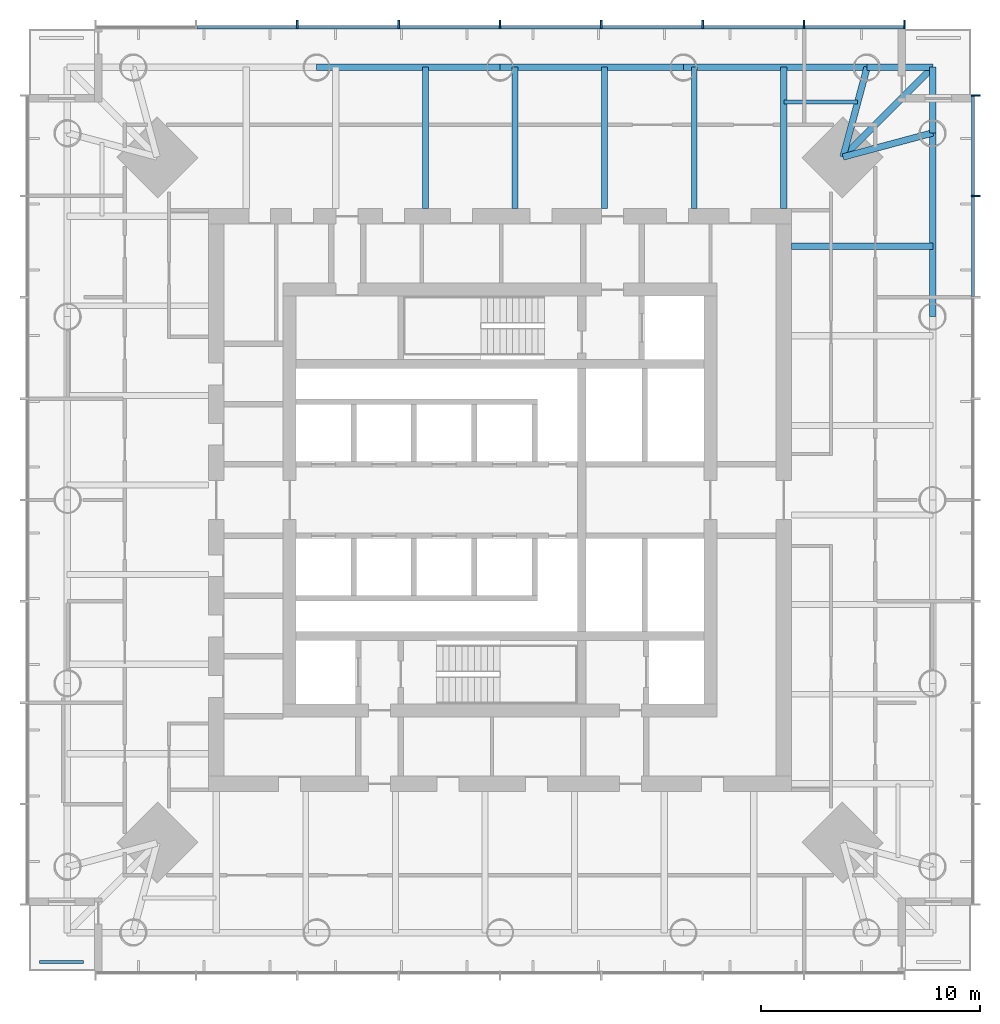
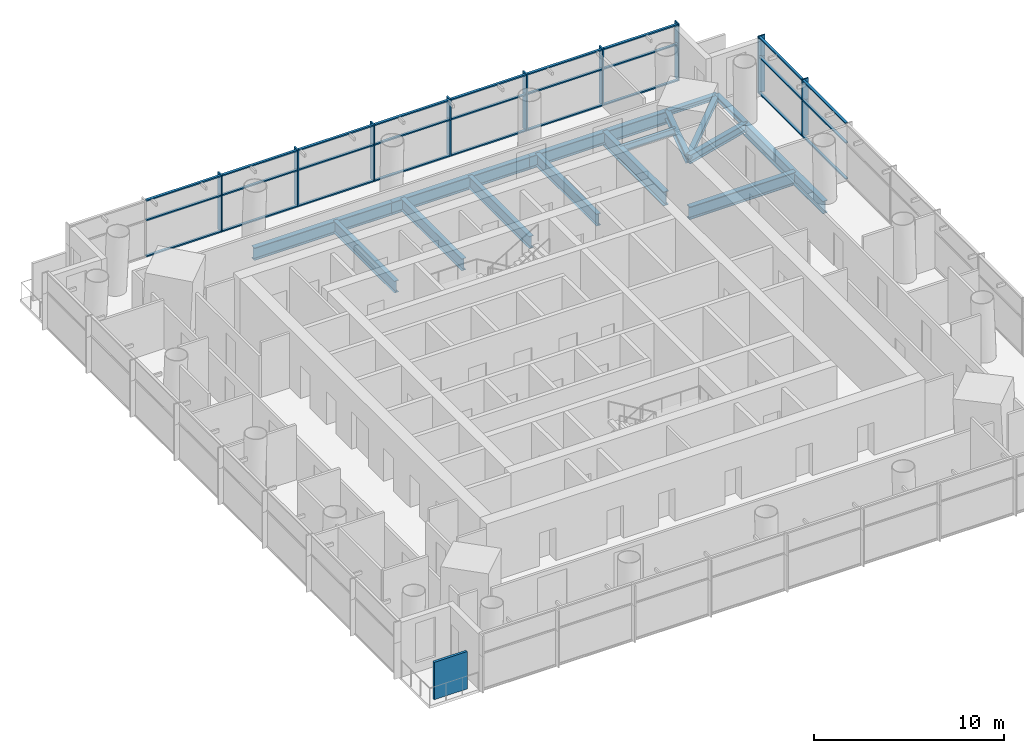
# One storey, part 4 of 11: 45 members, 16 beams, 1 plate, 4 elements without a shape of their own.
"""IFC4 building model written with IfcOpenShell, lengths in metres."""

from ifc_helpers import new_model, si_unit, direction, frame, origin, origin_2d, place, context, subcontext, project, spatial, rectangle, i_section, extrude, material, layer, layer_set, material_profile, profile_set, type_object, element, aggregate, save


model = new_model("IFC4")

# Units and contexts
model_context = context("Model", 3, precision=1e-05, world=origin(), true_north=direction((0.0, 1.0)))
body_context = subcontext(model_context, "Body", "Model", "MODEL_VIEW")
ifc_project = project(units=[si_unit("LENGTHUNIT", "METRE"), si_unit("AREAUNIT", "SQUARE_METRE"), si_unit("VOLUMEUNIT", "CUBIC_METRE"), si_unit("PLANEANGLEUNIT", "RADIAN"), si_unit("MASSUNIT", "GRAM", prefix="KILO")], contexts=[model_context])

# Site, building, storey
site_placement = place(None, origin())
site = spatial("IfcSite", under=ifc_project, at=site_placement, CompositionType="ELEMENT")
building_placement = place(site_placement, origin())
building = spatial("IfcBuilding", under=site, at=building_placement, Name="Ostroluk Exchange", CompositionType="ELEMENT")
storey_placement = place(building_placement, frame((0.0, 0.0, 154.0)))
storey = spatial("IfcBuildingStorey", under=building, at=storey_placement, Name="L39", CompositionType="ELEMENT", Elevation=154.0)

# Beams
ifc_material_1 = material(Name="Steel S355", Category="steel")
ifc_material_profile_1 = material_profile(ifc_material_1, i_section(OverallWidth=0.300048828125, OverallDepth=0.300048828125, WebThickness=0.010986328125, FlangeThickness=0.01904296875, FilletRadius=0.027099609375, at=origin_2d()), Name="HEB 300")
ifc_profile_set_1 = profile_set([ifc_material_profile_1], Name="Steel S355")
beam_type_1 = type_object("IfcBeamType", Name="Balcony beam HEB 300", PredefinedType="BEAM", material=ifc_profile_set_1)
for number, where, z_axis, x_axis, name in (
    (1, (64.75, 62.75, -0.330078125), (0.0, 1.0, 0.0), (-1.0, 0.0, 0.0), "T1 east balcony beam a"),
    (2, (61.75, 65.75, -0.330078125), (1.0, 0.0, 0.0), (0.0, 1.0, 0.0), "T1 east balcony beam b"),
):
    element("IfcBeam", number, at=place(storey_placement, frame(where, z_axis=z_axis, x_axis=x_axis)), inside=storey, type_object=beam_type_1, Name=name, PredefinedType="BEAM", context=body_context, shape_type="SweptSolid", body=[
        extrude(i_section(OverallWidth=0.300048828125, OverallDepth=0.300048828125, WebThickness=0.010986328125, FlangeThickness=0.01904296875, FilletRadius=0.027099609375, at=origin_2d()), origin(), (0.0, 0.0, 1.0), 3.0),
    ])
beam_1_placement = place(storey_placement, frame((60.64990234375, 61.64990234375, -0.330078125), z_axis=(0.707106781187, 0.707106781187, 0.0), x_axis=(-0.707106781187, 0.707106781187, 0.0)))
element("IfcBeam", 3, at=beam_1_placement, inside=storey, type_object=beam_type_1, Name="T1 east balcony beam c", PredefinedType="BEAM", context=body_context, shape_type="SweptSolid", body=[
    extrude(i_section(OverallWidth=0.300048828125, OverallDepth=0.300048828125, WebThickness=0.010986328125, FlangeThickness=0.01904296875, FilletRadius=0.027099609375, at=origin_2d()), origin(), (0.0, 0.0, 1.0), 5.79833984375),
])
ifc_material_2 = material(Name="Steel S355", Category="steel")
ifc_material_profile_2 = material_profile(ifc_material_2, i_section(OverallWidth=0.300048828125, OverallDepth=0.550048828125, WebThickness=0.014892578125, FlangeThickness=0.029052734375, FilletRadius=0.027099609375, at=origin_2d()), Name="HEB 550")
ifc_profile_set_2 = profile_set([ifc_material_profile_2], Name="Steel S355")
beam_type_2 = type_object("IfcBeamType", Name="Corner edge beam HEB 550", PredefinedType="SPANDREL", material=ifc_profile_set_2)
for number, where, z_axis, x_axis, name in (
    (4, (60.64990234375, 61.64990234375, -0.455078125), (0.965838624319, 0.259144268261, 0.0), (-0.259144268261, 0.965838624319, 0.0), "T1 east corner edge beam a"),
    (5, (60.64990234375, 61.64990234375, -0.455078125), (0.259144268261, 0.965838624319, 0.0), (-0.965838624319, 0.259144268261, 0.0), "T1 east corner edge beam b"),
):
    element("IfcBeam", number, at=place(storey_placement, frame(where, z_axis=z_axis, x_axis=x_axis)), inside=storey, type_object=beam_type_2, Name=name, PredefinedType="SPANDREL", context=body_context, shape_type="SweptSolid", body=[
        extrude(i_section(OverallWidth=0.300048828125, OverallDepth=0.550048828125, WebThickness=0.014892578125, FlangeThickness=0.029052734375, FilletRadius=0.027099609375, at=origin_2d()), origin(), (0.0, 0.0, 1.0), 4.2451171875),
    ])
ifc_material_3 = material(Name="Steel S355", Category="steel")
ifc_material_profile_3 = material_profile(ifc_material_3, i_section(OverallWidth=0.302978515625, OverallDepth=0.81396484375, WebThickness=0.02099609375, FlangeThickness=0.0400390625, FilletRadius=0.030029296875, at=origin_2d()), Name="HEM 800")
ifc_profile_set_3 = profile_set([ifc_material_profile_3], Name="Steel S355")
beam_type_3 = type_object("IfcBeamType", Name="Floor beam HEM 800", PredefinedType="BEAM", material=ifc_profile_set_3)
beam_2_placement = place(storey_placement, frame((58.300048828125, 57.574951171875, -0.5869140625), z_axis=(1.0, 0.0, 0.0), x_axis=(0.0, 1.0, 0.0)))
element("IfcBeam", 6, at=beam_2_placement, inside=storey, type_object=beam_type_3, Name="T1 east floor beam 6", PredefinedType="BEAM", context=body_context, shape_type="SweptSolid", body=[
    extrude(i_section(OverallWidth=0.302978515625, OverallDepth=0.81396484375, WebThickness=0.02099609375, FlangeThickness=0.0400390625, FilletRadius=0.030029296875, at=origin_2d()), origin(), (0.0, 0.0, 1.0), 6.449951171875),
])
ifc_material_4 = material(Name="Steel S355", Category="steel")
ifc_material_profile_4 = material_profile(ifc_material_4, i_section(OverallWidth=0.179931640625, OverallDepth=0.39990234375, WebThickness=0.008544921875, FlangeThickness=0.013427734375, FilletRadius=0.02099609375, at=origin_2d()), Name="IPE 400")
ifc_profile_set_4 = profile_set([ifc_material_profile_4], Name="Steel S355")
beam_type_4 = type_object("IfcBeamType", Name="Floor beam IPE 400", PredefinedType="BEAM", material=ifc_profile_set_4)
beam_3_placement = place(storey_placement, frame((57.949951171875, 64.14990234375, -0.3798828125), z_axis=(1.0, 0.0, 0.0), x_axis=(0.0, 1.0, 0.0)))
element("IfcBeam", 7, at=beam_3_placement, inside=storey, type_object=beam_type_4, Name="T1 east floor beam 7", PredefinedType="BEAM", context=body_context, shape_type="SweptSolid", body=[
    extrude(i_section(OverallWidth=0.179931640625, OverallDepth=0.39990234375, WebThickness=0.008544921875, FlangeThickness=0.013427734375, FilletRadius=0.02099609375, at=origin_2d()), origin(), (0.0, 0.0, 1.0), 3.370849609375),
])
ifc_material_5 = material(Name="Steel S355", Category="steel")
ifc_material_profile_5 = material_profile(ifc_material_5, i_section(OverallWidth=0.26708984375, OverallDepth=0.761962890625, WebThickness=0.014404296875, FlangeThickness=0.021484375, FilletRadius=0.01708984375, at=origin_2d()), Name="IPE 750x173")
ifc_profile_set_5 = profile_set([ifc_material_profile_5], Name="Steel S355")
beam_type_5 = type_object("IfcBeamType", Name="Floor beam IPE 750x173", PredefinedType="BEAM", material=ifc_profile_set_5)
for number, where, z_axis, x_axis, name in (
    (8, (53.862548828125, 59.300048828125, -0.56103515625), (0.0, 1.0, 0.0), (-1.0, 0.0, 0.0), "T1 north floor beam 1"),
    (9, (49.77490234375, 59.300048828125, -0.56103515625), (0.0, 1.0, 0.0), (-1.0, 0.0, 0.0), "T1 north floor beam 2"),
    (10, (45.6875, 59.300048828125, -0.56103515625), (0.0, 1.0, 0.0), (-1.0, 0.0, 0.0), "T1 north floor beam 3"),
    (11, (41.60009765625, 59.300048828125, -0.56103515625), (0.0, 1.0, 0.0), (-1.0, 0.0, 0.0), "T1 north floor beam 4"),
):
    element("IfcBeam", number, at=place(storey_placement, frame(where, z_axis=z_axis, x_axis=x_axis)), inside=storey, type_object=beam_type_5, Name=name, PredefinedType="BEAM", context=body_context, shape_type="SweptSolid", body=[
        extrude(i_section(OverallWidth=0.26708984375, OverallDepth=0.761962890625, WebThickness=0.014404296875, FlangeThickness=0.021484375, FilletRadius=0.01708984375, at=origin_2d()), origin(), (0.0, 0.0, 1.0), 6.449951171875),
    ])
ifc_material_6 = material(Name="Steel S355", Category="steel")
ifc_material_profile_6 = material_profile(ifc_material_6, i_section(OverallWidth=0.300048828125, OverallDepth=0.89990234375, WebThickness=0.0185546875, FlangeThickness=0.034912109375, FilletRadius=0.030029296875, at=origin_2d()), Name="HEB 900")
ifc_profile_set_6 = profile_set([ifc_material_profile_6], Name="Steel S355")
beam_type_6 = type_object("IfcBeamType", Name="Girder HEB 900", PredefinedType="BEAM", material=ifc_profile_set_6)
beam_4_placement = place(storey_placement, frame((57.949951171875, 59.300048828125, -0.6298828125), z_axis=(0.0, 1.0, 0.0), x_axis=(-1.0, 0.0, 0.0)))
element("IfcBeam", 12, at=beam_4_placement, inside=storey, type_object=beam_type_6, Name="T1 east girder", PredefinedType="BEAM", context=body_context, shape_type="SweptSolid", body=[
    extrude(i_section(OverallWidth=0.300048828125, OverallDepth=0.89990234375, WebThickness=0.0185546875, FlangeThickness=0.034912109375, FilletRadius=0.030029296875, at=origin_2d()), origin(), (0.0, 0.0, 1.0), 6.449951171875),
])
ifc_material_7 = material(Name="Steel S355", Category="steel")
ifc_material_profile_7 = material_profile(ifc_material_7, i_section(OverallWidth=0.300048828125, OverallDepth=0.800048828125, WebThickness=0.017578125, FlangeThickness=0.032958984375, FilletRadius=0.030029296875, at=origin_2d()), Name="HEB 800")
ifc_profile_set_7 = profile_set([ifc_material_profile_7], Name="Steel S355")
beam_type_7 = type_object("IfcBeamType", Name="Moment-connected edge beam HEB 800", PredefinedType="SPANDREL", material=ifc_profile_set_7)
for number, where, z_axis, x_axis, name in (
    (13, (64.75, 54.375, -0.580078125), (0.0, 1.0, 0.0), (-1.0, 0.0, 0.0), "T1 east edge beam 4"),
    (14, (61.75, 65.75, -0.580078125), (-1.0, 0.0, 0.0), (0.0, -1.0, 0.0), "T1 north edge beam 1"),
    (15, (53.375, 65.75, -0.580078125), (-1.0, 0.0, 0.0), (0.0, -1.0, 0.0), "T1 north edge beam 2"),
    (16, (45.0, 65.75, -0.580078125), (-1.0, 0.0, 0.0), (0.0, -1.0, 0.0), "T1 north edge beam 3"),
):
    element("IfcBeam", number, at=place(storey_placement, frame(where, z_axis=z_axis, x_axis=x_axis)), inside=storey, type_object=beam_type_7, Name=name, PredefinedType="SPANDREL", context=body_context, shape_type="SweptSolid", body=[
        extrude(i_section(OverallWidth=0.300048828125, OverallDepth=0.800048828125, WebThickness=0.017578125, FlangeThickness=0.032958984375, FilletRadius=0.030029296875, at=origin_2d()), origin(), (0.0, 0.0, 1.0), 8.375),
    ])

# Curtain wall, members
ifc_material_8 = material(Name="Laminated clear glass", Category="glass")
curtain_wall_type = type_object("IfcCurtainWallType", Name="Office tower facade", PredefinedType="USERDEFINED", material=ifc_material_8)
curtain_wall_1_placement = place(storey_placement, origin())
curtain_wall_1 = element("IfcCurtainWall", 17, at=curtain_wall_1_placement, inside=storey, type_object=curtain_wall_type, Name="Office tower east facade L39", ObjectType="UNITISED CURTAIN WALL", PredefinedType="USERDEFINED")
ifc_material_9 = material(Name="Aluminium mullion", Category="aluminium")
ifc_material_profile_8 = material_profile(ifc_material_9, rectangle(XDim=0.14990234375, YDim=0.080078125, at=origin_2d()), Name="Sill transom 80 x 150")
ifc_profile_set_8 = profile_set([ifc_material_profile_8], Name="Aluminium mullion")
member_type_1 = type_object("IfcMemberType", Name="Sill transom 80 x 150", PredefinedType="USERDEFINED", material=ifc_profile_set_8)
member_1_placement = place(storey_placement, frame((66.574951171875, 55.2900390625, 0.0400390625), z_axis=(0.0, 1.0, 0.0), x_axis=(-1.0, 0.0, 0.0)))
member_1 = element("IfcMember", 18, at=member_1_placement, type_object=member_type_1, Name="CW-O1 transom 7.1", ObjectType="TRANSOM", PredefinedType="USERDEFINED", context=body_context, shape_type="SweptSolid", body=[
    extrude(rectangle(XDim=0.14990234375, YDim=0.080078125, at=origin_2d()), origin(), (0.0, 0.0, 1.0), 4.544921875),
])
member_2_placement = place(storey_placement, frame((66.574951171875, 59.9150390625, 0.0400390625), z_axis=(0.0, 1.0, 0.0), x_axis=(-1.0, 0.0, 0.0)))
member_2 = element("IfcMember", 19, at=member_2_placement, type_object=member_type_1, Name="CW-O1 transom 8.1", ObjectType="TRANSOM", PredefinedType="USERDEFINED", context=body_context, shape_type="SweptSolid", body=[
    extrude(rectangle(XDim=0.14990234375, YDim=0.080078125, at=origin_2d()), origin(), (0.0, 0.0, 1.0), 4.5048828125),
])

curtain_wall_2_placement = place(storey_placement, origin())
curtain_wall_2 = element("IfcCurtainWall", 20, at=curtain_wall_2_placement, inside=storey, type_object=curtain_wall_type, Name="Office tower east spandrel L39", ObjectType="UNITISED CURTAIN WALL", PredefinedType="USERDEFINED")
member_3_placement = place(storey_placement, frame((66.574951171875, 55.2900390625, 2.353515625), z_axis=(0.0, 1.0, 0.0), x_axis=(-1.0, 0.0, 0.0)))
member_3 = element("IfcMember", 21, at=member_3_placement, type_object=member_type_1, Name="CW-O1 transom 7.1", ObjectType="TRANSOM", PredefinedType="USERDEFINED", context=body_context, shape_type="SweptSolid", body=[
    extrude(rectangle(XDim=0.14990234375, YDim=0.080078125, at=origin_2d()), origin(), (0.0, 0.0, 1.0), 4.544921875),
])
member_4_placement = place(storey_placement, frame((66.574951171875, 55.2900390625, 3.610107421875), z_axis=(0.0, 1.0, 0.0), x_axis=(-1.0, 0.0, 0.0)))
member_4 = element("IfcMember", 22, at=member_4_placement, type_object=member_type_1, Name="CW-O1 transom 7.2", ObjectType="TRANSOM", PredefinedType="USERDEFINED", context=body_context, shape_type="SweptSolid", body=[
    extrude(rectangle(XDim=0.14990234375, YDim=0.080078125, at=origin_2d()), origin(), (0.0, 0.0, 1.0), 4.544921875),
])
member_5_placement = place(storey_placement, frame((66.574951171875, 59.9150390625, 2.353515625), z_axis=(0.0, 1.0, 0.0), x_axis=(-1.0, 0.0, 0.0)))
member_5 = element("IfcMember", 23, at=member_5_placement, type_object=member_type_1, Name="CW-O1 transom 8.1", ObjectType="TRANSOM", PredefinedType="USERDEFINED", context=body_context, shape_type="SweptSolid", body=[
    extrude(rectangle(XDim=0.14990234375, YDim=0.080078125, at=origin_2d()), origin(), (0.0, 0.0, 1.0), 4.5048828125),
])
member_6_placement = place(storey_placement, frame((66.574951171875, 59.9150390625, 3.610107421875), z_axis=(0.0, 1.0, 0.0), x_axis=(-1.0, 0.0, 0.0)))
member_6 = element("IfcMember", 24, at=member_6_placement, type_object=member_type_1, Name="CW-O1 transom 8.2", ObjectType="TRANSOM", PredefinedType="USERDEFINED", context=body_context, shape_type="SweptSolid", body=[
    extrude(rectangle(XDim=0.14990234375, YDim=0.080078125, at=origin_2d()), origin(), (0.0, 0.0, 1.0), 4.5048828125),
])

curtain_wall_3_placement = place(storey_placement, origin())
curtain_wall_3 = element("IfcCurtainWall", 25, at=curtain_wall_3_placement, inside=storey, type_object=curtain_wall_type, Name="Office tower north facade L39", ObjectType="UNITISED CURTAIN WALL", PredefinedType="USERDEFINED")
member_7_placement = place(storey_placement, frame((63.419921875, 67.574951171875, 0.0400390625), z_axis=(-1.0, 0.0, 0.0), x_axis=(0.0, -1.0, 0.0)))
member_7 = element("IfcMember", 26, at=member_7_placement, type_object=member_type_1, Name="CW-O1 transom 1.1", ObjectType="TRANSOM", PredefinedType="USERDEFINED", context=body_context, shape_type="SweptSolid", body=[
    extrude(rectangle(XDim=0.14990234375, YDim=0.080078125, at=origin_2d()), origin(), (0.0, 0.0, 1.0), 4.5048828125),
])
member_8_placement = place(storey_placement, frame((58.8349609375, 67.574951171875, 0.0400390625), z_axis=(-1.0, 0.0, 0.0), x_axis=(0.0, -1.0, 0.0)))
member_8 = element("IfcMember", 27, at=member_8_placement, type_object=member_type_1, Name="CW-O1 transom 2.1", ObjectType="TRANSOM", PredefinedType="USERDEFINED", context=body_context, shape_type="SweptSolid", body=[
    extrude(rectangle(XDim=0.14990234375, YDim=0.080078125, at=origin_2d()), origin(), (0.0, 0.0, 1.0), 4.544921875),
])
member_9_placement = place(storey_placement, frame((54.2099609375, 67.574951171875, 0.0400390625), z_axis=(-1.0, 0.0, 0.0), x_axis=(0.0, -1.0, 0.0)))
member_9 = element("IfcMember", 28, at=member_9_placement, type_object=member_type_1, Name="CW-O1 transom 3.1", ObjectType="TRANSOM", PredefinedType="USERDEFINED", context=body_context, shape_type="SweptSolid", body=[
    extrude(rectangle(XDim=0.14990234375, YDim=0.080078125, at=origin_2d()), origin(), (0.0, 0.0, 1.0), 4.544921875),
])
member_10_placement = place(storey_placement, frame((49.5849609375, 67.574951171875, 0.0400390625), z_axis=(-1.0, 0.0, 0.0), x_axis=(0.0, -1.0, 0.0)))
member_10 = element("IfcMember", 29, at=member_10_placement, type_object=member_type_1, Name="CW-O1 transom 4.1", ObjectType="TRANSOM", PredefinedType="USERDEFINED", context=body_context, shape_type="SweptSolid", body=[
    extrude(rectangle(XDim=0.14990234375, YDim=0.080078125, at=origin_2d()), origin(), (0.0, 0.0, 1.0), 4.544921875),
])
member_11_placement = place(storey_placement, frame((44.9599609375, 67.574951171875, 0.0400390625), z_axis=(-1.0, 0.0, 0.0), x_axis=(0.0, -1.0, 0.0)))
member_11 = element("IfcMember", 30, at=member_11_placement, type_object=member_type_1, Name="CW-O1 transom 5.1", ObjectType="TRANSOM", PredefinedType="USERDEFINED", context=body_context, shape_type="SweptSolid", body=[
    extrude(rectangle(XDim=0.14990234375, YDim=0.080078125, at=origin_2d()), origin(), (0.0, 0.0, 1.0), 4.544921875),
])
member_12_placement = place(storey_placement, frame((40.3349609375, 67.574951171875, 0.0400390625), z_axis=(-1.0, 0.0, 0.0), x_axis=(0.0, -1.0, 0.0)))
member_12 = element("IfcMember", 31, at=member_12_placement, type_object=member_type_1, Name="CW-O1 transom 6.1", ObjectType="TRANSOM", PredefinedType="USERDEFINED", context=body_context, shape_type="SweptSolid", body=[
    extrude(rectangle(XDim=0.14990234375, YDim=0.080078125, at=origin_2d()), origin(), (0.0, 0.0, 1.0), 4.544921875),
])
member_13_placement = place(storey_placement, frame((35.7099609375, 67.574951171875, 0.0400390625), z_axis=(-1.0, 0.0, 0.0), x_axis=(0.0, -1.0, 0.0)))
member_13 = element("IfcMember", 32, at=member_13_placement, type_object=member_type_1, Name="CW-O1 transom 7.1", ObjectType="TRANSOM", PredefinedType="USERDEFINED", context=body_context, shape_type="SweptSolid", body=[
    extrude(rectangle(XDim=0.14990234375, YDim=0.080078125, at=origin_2d()), origin(), (0.0, 0.0, 1.0), 4.544921875),
])

curtain_wall_4_placement = place(storey_placement, origin())
curtain_wall_4 = element("IfcCurtainWall", 33, at=curtain_wall_4_placement, inside=storey, type_object=curtain_wall_type, Name="Office tower north spandrel L39", ObjectType="UNITISED CURTAIN WALL", PredefinedType="USERDEFINED")
member_14_placement = place(storey_placement, frame((63.419921875, 67.574951171875, 2.353515625), z_axis=(-1.0, 0.0, 0.0), x_axis=(0.0, -1.0, 0.0)))
member_14 = element("IfcMember", 34, at=member_14_placement, type_object=member_type_1, Name="CW-O1 transom 1.1", ObjectType="TRANSOM", PredefinedType="USERDEFINED", context=body_context, shape_type="SweptSolid", body=[
    extrude(rectangle(XDim=0.14990234375, YDim=0.080078125, at=origin_2d()), origin(), (0.0, 0.0, 1.0), 4.5048828125),
])
member_15_placement = place(storey_placement, frame((63.419921875, 67.574951171875, 3.610107421875), z_axis=(-1.0, 0.0, 0.0), x_axis=(0.0, -1.0, 0.0)))
member_15 = element("IfcMember", 35, at=member_15_placement, type_object=member_type_1, Name="CW-O1 transom 1.2", ObjectType="TRANSOM", PredefinedType="USERDEFINED", context=body_context, shape_type="SweptSolid", body=[
    extrude(rectangle(XDim=0.14990234375, YDim=0.080078125, at=origin_2d()), origin(), (0.0, 0.0, 1.0), 4.5048828125),
])
member_16_placement = place(storey_placement, frame((58.8349609375, 67.574951171875, 2.353515625), z_axis=(-1.0, 0.0, 0.0), x_axis=(0.0, -1.0, 0.0)))
member_16 = element("IfcMember", 36, at=member_16_placement, type_object=member_type_1, Name="CW-O1 transom 2.1", ObjectType="TRANSOM", PredefinedType="USERDEFINED", context=body_context, shape_type="SweptSolid", body=[
    extrude(rectangle(XDim=0.14990234375, YDim=0.080078125, at=origin_2d()), origin(), (0.0, 0.0, 1.0), 4.544921875),
])
member_17_placement = place(storey_placement, frame((58.8349609375, 67.574951171875, 3.610107421875), z_axis=(-1.0, 0.0, 0.0), x_axis=(0.0, -1.0, 0.0)))
member_17 = element("IfcMember", 37, at=member_17_placement, type_object=member_type_1, Name="CW-O1 transom 2.2", ObjectType="TRANSOM", PredefinedType="USERDEFINED", context=body_context, shape_type="SweptSolid", body=[
    extrude(rectangle(XDim=0.14990234375, YDim=0.080078125, at=origin_2d()), origin(), (0.0, 0.0, 1.0), 4.544921875),
])
member_18_placement = place(storey_placement, frame((54.2099609375, 67.574951171875, 2.353515625), z_axis=(-1.0, 0.0, 0.0), x_axis=(0.0, -1.0, 0.0)))
member_18 = element("IfcMember", 38, at=member_18_placement, type_object=member_type_1, Name="CW-O1 transom 3.1", ObjectType="TRANSOM", PredefinedType="USERDEFINED", context=body_context, shape_type="SweptSolid", body=[
    extrude(rectangle(XDim=0.14990234375, YDim=0.080078125, at=origin_2d()), origin(), (0.0, 0.0, 1.0), 4.544921875),
])
member_19_placement = place(storey_placement, frame((54.2099609375, 67.574951171875, 3.610107421875), z_axis=(-1.0, 0.0, 0.0), x_axis=(0.0, -1.0, 0.0)))
member_19 = element("IfcMember", 39, at=member_19_placement, type_object=member_type_1, Name="CW-O1 transom 3.2", ObjectType="TRANSOM", PredefinedType="USERDEFINED", context=body_context, shape_type="SweptSolid", body=[
    extrude(rectangle(XDim=0.14990234375, YDim=0.080078125, at=origin_2d()), origin(), (0.0, 0.0, 1.0), 4.544921875),
])
member_20_placement = place(storey_placement, frame((49.5849609375, 67.574951171875, 2.353515625), z_axis=(-1.0, 0.0, 0.0), x_axis=(0.0, -1.0, 0.0)))
member_20 = element("IfcMember", 40, at=member_20_placement, type_object=member_type_1, Name="CW-O1 transom 4.1", ObjectType="TRANSOM", PredefinedType="USERDEFINED", context=body_context, shape_type="SweptSolid", body=[
    extrude(rectangle(XDim=0.14990234375, YDim=0.080078125, at=origin_2d()), origin(), (0.0, 0.0, 1.0), 4.544921875),
])
member_21_placement = place(storey_placement, frame((49.5849609375, 67.574951171875, 3.610107421875), z_axis=(-1.0, 0.0, 0.0), x_axis=(0.0, -1.0, 0.0)))
member_21 = element("IfcMember", 41, at=member_21_placement, type_object=member_type_1, Name="CW-O1 transom 4.2", ObjectType="TRANSOM", PredefinedType="USERDEFINED", context=body_context, shape_type="SweptSolid", body=[
    extrude(rectangle(XDim=0.14990234375, YDim=0.080078125, at=origin_2d()), origin(), (0.0, 0.0, 1.0), 4.544921875),
])
member_22_placement = place(storey_placement, frame((44.9599609375, 67.574951171875, 2.353515625), z_axis=(-1.0, 0.0, 0.0), x_axis=(0.0, -1.0, 0.0)))
member_22 = element("IfcMember", 42, at=member_22_placement, type_object=member_type_1, Name="CW-O1 transom 5.1", ObjectType="TRANSOM", PredefinedType="USERDEFINED", context=body_context, shape_type="SweptSolid", body=[
    extrude(rectangle(XDim=0.14990234375, YDim=0.080078125, at=origin_2d()), origin(), (0.0, 0.0, 1.0), 4.544921875),
])
member_23_placement = place(storey_placement, frame((44.9599609375, 67.574951171875, 3.610107421875), z_axis=(-1.0, 0.0, 0.0), x_axis=(0.0, -1.0, 0.0)))
member_23 = element("IfcMember", 43, at=member_23_placement, type_object=member_type_1, Name="CW-O1 transom 5.2", ObjectType="TRANSOM", PredefinedType="USERDEFINED", context=body_context, shape_type="SweptSolid", body=[
    extrude(rectangle(XDim=0.14990234375, YDim=0.080078125, at=origin_2d()), origin(), (0.0, 0.0, 1.0), 4.544921875),
])
member_24_placement = place(storey_placement, frame((40.3349609375, 67.574951171875, 2.353515625), z_axis=(-1.0, 0.0, 0.0), x_axis=(0.0, -1.0, 0.0)))
member_24 = element("IfcMember", 44, at=member_24_placement, type_object=member_type_1, Name="CW-O1 transom 6.1", ObjectType="TRANSOM", PredefinedType="USERDEFINED", context=body_context, shape_type="SweptSolid", body=[
    extrude(rectangle(XDim=0.14990234375, YDim=0.080078125, at=origin_2d()), origin(), (0.0, 0.0, 1.0), 4.544921875),
])
member_25_placement = place(storey_placement, frame((40.3349609375, 67.574951171875, 3.610107421875), z_axis=(-1.0, 0.0, 0.0), x_axis=(0.0, -1.0, 0.0)))
member_25 = element("IfcMember", 45, at=member_25_placement, type_object=member_type_1, Name="CW-O1 transom 6.2", ObjectType="TRANSOM", PredefinedType="USERDEFINED", context=body_context, shape_type="SweptSolid", body=[
    extrude(rectangle(XDim=0.14990234375, YDim=0.080078125, at=origin_2d()), origin(), (0.0, 0.0, 1.0), 4.544921875),
])
member_26_placement = place(storey_placement, frame((35.7099609375, 67.574951171875, 2.353515625), z_axis=(-1.0, 0.0, 0.0), x_axis=(0.0, -1.0, 0.0)))
member_26 = element("IfcMember", 46, at=member_26_placement, type_object=member_type_1, Name="CW-O1 transom 7.1", ObjectType="TRANSOM", PredefinedType="USERDEFINED", context=body_context, shape_type="SweptSolid", body=[
    extrude(rectangle(XDim=0.14990234375, YDim=0.080078125, at=origin_2d()), origin(), (0.0, 0.0, 1.0), 4.544921875),
])
member_27_placement = place(storey_placement, frame((35.7099609375, 67.574951171875, 3.610107421875), z_axis=(-1.0, 0.0, 0.0), x_axis=(0.0, -1.0, 0.0)))
member_27 = element("IfcMember", 47, at=member_27_placement, type_object=member_type_1, Name="CW-O1 transom 7.2", ObjectType="TRANSOM", PredefinedType="USERDEFINED", context=body_context, shape_type="SweptSolid", body=[
    extrude(rectangle(XDim=0.14990234375, YDim=0.080078125, at=origin_2d()), origin(), (0.0, 0.0, 1.0), 4.544921875),
])

# Member
ifc_material_10 = material(Name="Aluminium mullion with limestone facing", Category="masonry")
ifc_material_profile_9 = material_profile(ifc_material_10, rectangle(XDim=0.39990234375, YDim=0.080078125, at=origin_2d()), Name="Tracery mullion 80 x 400")
ifc_profile_set_9 = profile_set([ifc_material_profile_9], Name="Aluminium mullion with limestone facing")
member_type_2 = type_object("IfcMemberType", Name="Tracery mullion 80 x 400", PredefinedType="MULLION", material=ifc_profile_set_9)
member_28_placement = place(storey_placement, frame((66.699951171875, 59.875, 0.0), z_axis=(0.0, 0.0, 1.0), x_axis=(-1.0, 0.0, 0.0)))
member_28 = element("IfcMember", 48, at=member_28_placement, type_object=member_type_2, Name="CW-O1 mullion 8", PredefinedType="MULLION", context=body_context, shape_type="SweptSolid", body=[
    extrude(rectangle(XDim=0.39990234375, YDim=0.080078125, at=origin_2d()), origin(), (0.0, 0.0, 1.0), 2.3134765625),
])

member_29_placement = place(storey_placement, frame((66.699951171875, 64.4599609375, 0.0), z_axis=(0.0, 0.0, 1.0), x_axis=(-1.0, 0.0, 0.0)))
member_29 = element("IfcMember", 49, at=member_29_placement, type_object=member_type_2, Name="CW-O1 mullion 9", PredefinedType="MULLION", context=body_context, shape_type="SweptSolid", body=[
    extrude(rectangle(XDim=0.39990234375, YDim=0.080078125, at=origin_2d()), origin(), (0.0, 0.0, 1.0), 2.3134765625),
])

aggregate(curtain_wall_1, [member_28, member_29, member_1, member_2])

member_30_placement = place(storey_placement, frame((66.699951171875, 59.875, 2.3134765625), z_axis=(0.0, 0.0, 1.0), x_axis=(-1.0, 0.0, 0.0)))
member_30 = element("IfcMember", 50, at=member_30_placement, type_object=member_type_2, Name="CW-O1 mullion 8", PredefinedType="MULLION", context=body_context, shape_type="SweptSolid", body=[
    extrude(rectangle(XDim=0.39990234375, YDim=0.080078125, at=origin_2d()), origin(), (0.0, 0.0, 1.0), 1.33642578125),
])

member_31_placement = place(storey_placement, frame((66.699951171875, 64.4599609375, 2.3134765625), z_axis=(0.0, 0.0, 1.0), x_axis=(-1.0, 0.0, 0.0)))
member_31 = element("IfcMember", 51, at=member_31_placement, type_object=member_type_2, Name="CW-O1 mullion 9", PredefinedType="MULLION", context=body_context, shape_type="SweptSolid", body=[
    extrude(rectangle(XDim=0.39990234375, YDim=0.080078125, at=origin_2d()), origin(), (0.0, 0.0, 1.0), 1.33642578125),
])

aggregate(curtain_wall_2, [member_30, member_31, member_3, member_4, member_5, member_6])

member_32_placement = place(storey_placement, frame((63.4599609375, 67.699951171875, 0.0), z_axis=(0.0, 0.0, 1.0), x_axis=(0.0, -1.0, 0.0)))
member_32 = element("IfcMember", 52, at=member_32_placement, type_object=member_type_2, Name="CW-O1 mullion 1", PredefinedType="MULLION", context=body_context, shape_type="SweptSolid", body=[
    extrude(rectangle(XDim=0.39990234375, YDim=0.080078125, at=origin_2d()), origin(), (0.0, 0.0, 1.0), 2.3134765625),
])

member_33_placement = place(storey_placement, frame((58.875, 67.699951171875, 0.0), z_axis=(0.0, 0.0, 1.0), x_axis=(0.0, -1.0, 0.0)))
member_33 = element("IfcMember", 53, at=member_33_placement, type_object=member_type_2, Name="CW-O1 mullion 2", PredefinedType="MULLION", context=body_context, shape_type="SweptSolid", body=[
    extrude(rectangle(XDim=0.39990234375, YDim=0.080078125, at=origin_2d()), origin(), (0.0, 0.0, 1.0), 2.3134765625),
])

member_34_placement = place(storey_placement, frame((54.25, 67.699951171875, 0.0), z_axis=(0.0, 0.0, 1.0), x_axis=(0.0, -1.0, 0.0)))
member_34 = element("IfcMember", 54, at=member_34_placement, type_object=member_type_2, Name="CW-O1 mullion 3", PredefinedType="MULLION", context=body_context, shape_type="SweptSolid", body=[
    extrude(rectangle(XDim=0.39990234375, YDim=0.080078125, at=origin_2d()), origin(), (0.0, 0.0, 1.0), 2.3134765625),
])

member_35_placement = place(storey_placement, frame((49.625, 67.699951171875, 0.0), z_axis=(0.0, 0.0, 1.0), x_axis=(0.0, -1.0, 0.0)))
member_35 = element("IfcMember", 55, at=member_35_placement, type_object=member_type_2, Name="CW-O1 mullion 4", PredefinedType="MULLION", context=body_context, shape_type="SweptSolid", body=[
    extrude(rectangle(XDim=0.39990234375, YDim=0.080078125, at=origin_2d()), origin(), (0.0, 0.0, 1.0), 2.3134765625),
])

member_36_placement = place(storey_placement, frame((45.0, 67.699951171875, 0.0), z_axis=(0.0, 0.0, 1.0), x_axis=(0.0, -1.0, 0.0)))
member_36 = element("IfcMember", 56, at=member_36_placement, type_object=member_type_2, Name="CW-O1 mullion 5", PredefinedType="MULLION", context=body_context, shape_type="SweptSolid", body=[
    extrude(rectangle(XDim=0.39990234375, YDim=0.080078125, at=origin_2d()), origin(), (0.0, 0.0, 1.0), 2.3134765625),
])

member_37_placement = place(storey_placement, frame((40.375, 67.699951171875, 0.0), z_axis=(0.0, 0.0, 1.0), x_axis=(0.0, -1.0, 0.0)))
member_37 = element("IfcMember", 57, at=member_37_placement, type_object=member_type_2, Name="CW-O1 mullion 6", PredefinedType="MULLION", context=body_context, shape_type="SweptSolid", body=[
    extrude(rectangle(XDim=0.39990234375, YDim=0.080078125, at=origin_2d()), origin(), (0.0, 0.0, 1.0), 2.3134765625),
])

member_38_placement = place(storey_placement, frame((35.75, 67.699951171875, 0.0), z_axis=(0.0, 0.0, 1.0), x_axis=(0.0, -1.0, 0.0)))
member_38 = element("IfcMember", 58, at=member_38_placement, type_object=member_type_2, Name="CW-O1 mullion 7", PredefinedType="MULLION", context=body_context, shape_type="SweptSolid", body=[
    extrude(rectangle(XDim=0.39990234375, YDim=0.080078125, at=origin_2d()), origin(), (0.0, 0.0, 1.0), 2.3134765625),
])

aggregate(curtain_wall_3, [member_32, member_33, member_34, member_35, member_36, member_37, member_38, member_7, member_8, member_9, member_10, member_11, member_12, member_13])

member_39_placement = place(storey_placement, frame((63.4599609375, 67.699951171875, 2.3134765625), z_axis=(0.0, 0.0, 1.0), x_axis=(0.0, -1.0, 0.0)))
member_39 = element("IfcMember", 59, at=member_39_placement, type_object=member_type_2, Name="CW-O1 mullion 1", PredefinedType="MULLION", context=body_context, shape_type="SweptSolid", body=[
    extrude(rectangle(XDim=0.39990234375, YDim=0.080078125, at=origin_2d()), origin(), (0.0, 0.0, 1.0), 1.33642578125),
])

member_40_placement = place(storey_placement, frame((58.875, 67.699951171875, 2.3134765625), z_axis=(0.0, 0.0, 1.0), x_axis=(0.0, -1.0, 0.0)))
member_40 = element("IfcMember", 60, at=member_40_placement, type_object=member_type_2, Name="CW-O1 mullion 2", PredefinedType="MULLION", context=body_context, shape_type="SweptSolid", body=[
    extrude(rectangle(XDim=0.39990234375, YDim=0.080078125, at=origin_2d()), origin(), (0.0, 0.0, 1.0), 1.33642578125),
])

member_41_placement = place(storey_placement, frame((54.25, 67.699951171875, 2.3134765625), z_axis=(0.0, 0.0, 1.0), x_axis=(0.0, -1.0, 0.0)))
member_41 = element("IfcMember", 61, at=member_41_placement, type_object=member_type_2, Name="CW-O1 mullion 3", PredefinedType="MULLION", context=body_context, shape_type="SweptSolid", body=[
    extrude(rectangle(XDim=0.39990234375, YDim=0.080078125, at=origin_2d()), origin(), (0.0, 0.0, 1.0), 1.33642578125),
])

member_42_placement = place(storey_placement, frame((49.625, 67.699951171875, 2.3134765625), z_axis=(0.0, 0.0, 1.0), x_axis=(0.0, -1.0, 0.0)))
member_42 = element("IfcMember", 62, at=member_42_placement, type_object=member_type_2, Name="CW-O1 mullion 4", PredefinedType="MULLION", context=body_context, shape_type="SweptSolid", body=[
    extrude(rectangle(XDim=0.39990234375, YDim=0.080078125, at=origin_2d()), origin(), (0.0, 0.0, 1.0), 1.33642578125),
])

member_43_placement = place(storey_placement, frame((45.0, 67.699951171875, 2.3134765625), z_axis=(0.0, 0.0, 1.0), x_axis=(0.0, -1.0, 0.0)))
member_43 = element("IfcMember", 63, at=member_43_placement, type_object=member_type_2, Name="CW-O1 mullion 5", PredefinedType="MULLION", context=body_context, shape_type="SweptSolid", body=[
    extrude(rectangle(XDim=0.39990234375, YDim=0.080078125, at=origin_2d()), origin(), (0.0, 0.0, 1.0), 1.33642578125),
])

member_44_placement = place(storey_placement, frame((40.375, 67.699951171875, 2.3134765625), z_axis=(0.0, 0.0, 1.0), x_axis=(0.0, -1.0, 0.0)))
member_44 = element("IfcMember", 64, at=member_44_placement, type_object=member_type_2, Name="CW-O1 mullion 6", PredefinedType="MULLION", context=body_context, shape_type="SweptSolid", body=[
    extrude(rectangle(XDim=0.39990234375, YDim=0.080078125, at=origin_2d()), origin(), (0.0, 0.0, 1.0), 1.33642578125),
])

member_45_placement = place(storey_placement, frame((35.75, 67.699951171875, 2.3134765625), z_axis=(0.0, 0.0, 1.0), x_axis=(0.0, -1.0, 0.0)))
member_45 = element("IfcMember", 65, at=member_45_placement, type_object=member_type_2, Name="CW-O1 mullion 7", PredefinedType="MULLION", context=body_context, shape_type="SweptSolid", body=[
    extrude(rectangle(XDim=0.39990234375, YDim=0.080078125, at=origin_2d()), origin(), (0.0, 0.0, 1.0), 1.33642578125),
])

aggregate(curtain_wall_4, [member_39, member_40, member_41, member_42, member_43, member_44, member_45, member_14, member_15, member_16, member_17, member_18, member_19, member_20, member_21, member_22, member_23, member_24, member_25, member_26, member_27])

# Plate
ifc_material_11 = material(Name="Steel S355 trellis with planting", Category="steel")
ifc_layer = layer(ifc_material_11, 0.14990234375)
ifc_layer_set = layer_set([ifc_layer], Name="Planted screen 150")
plate_type = type_object("IfcPlateType", Name="Planted screen 150", PredefinedType="USERDEFINED", material=ifc_layer_set)
plate_placement = place(storey_placement, frame((25.0, 24.925048828125, 0.0), z_axis=(0.0, 0.0, 1.0), x_axis=(1.0, 0.0, 0.0)))
element("IfcPlate", 66, at=plate_placement, inside=storey, type_object=plate_type, Name="Office tower SW planted screen L39", ObjectType="PLANTED SCREEN", PredefinedType="USERDEFINED", context=body_context, shape_type="SweptSolid", body=[
    extrude(rectangle(XDim=2.0, YDim=0.14990234375, at=origin_2d()), origin(), (0.0, 0.0, 1.0), 2.39990234375),
])

save(model, "model.ifc")
